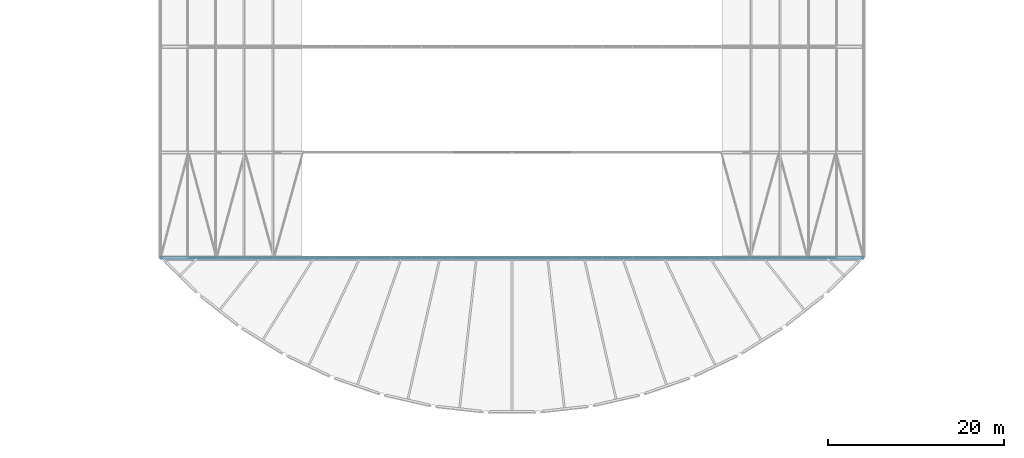
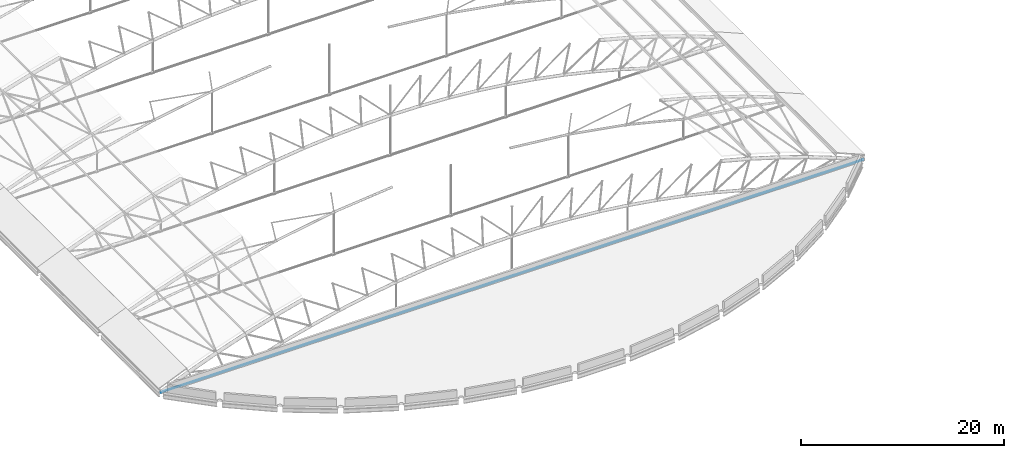
# One storey, part 22 of 321: 1 member.
"""IFC4 building model written with IfcOpenShell, lengths in metres."""

from ifc_helpers import new_model, si_unit, direction, frame, origin, origin_2d, place, context, subcontext, project, spatial, circle, extrude, material, material_profile, profile_set, type_object, element, save


model = new_model("IFC4")

# Units and contexts
model_context = context("Model", 3, precision=1e-05, world=origin(), true_north=direction((0.0, 1.0)))
body_context = subcontext(model_context, "Body", "Model", "MODEL_VIEW")
ifc_project = project(units=[si_unit("LENGTHUNIT", "METRE"), si_unit("AREAUNIT", "SQUARE_METRE"), si_unit("VOLUMEUNIT", "CUBIC_METRE"), si_unit("PLANEANGLEUNIT", "RADIAN"), si_unit("MASSUNIT", "GRAM", prefix="KILO")], contexts=[model_context])

# Site, building, storey
site_placement = place(None, origin())
site = spatial("IfcSite", under=ifc_project, at=site_placement, CompositionType="ELEMENT")
building_placement = place(site_placement, origin())
building = spatial("IfcBuilding", under=site, at=building_placement, Name="Ravi Spectrum Wholesale Market", CompositionType="ELEMENT")
storey_placement = place(building_placement, frame((0.0, 0.0, 10.800048828125)))
storey = spatial("IfcBuildingStorey", under=building, at=storey_placement, Name="L02", CompositionType="ELEMENT", Elevation=10.800048828125)

# Member
ifc_material = material(Name="Steel S460", Category="steel")
ifc_material_profile = material_profile(ifc_material, circle(Radius=0.044921875, at=origin_2d()))
ifc_profile_set = profile_set([ifc_material_profile], Name="Steel S460")
member_type = type_object("IfcMemberType", Name="ROD 90 tie", PredefinedType="BRACE", material=ifc_profile_set)
member_placement = place(storey_placement, frame((30.0, 30.0, 0.0), z_axis=(1.0, 0.0, 0.0), x_axis=(0.0, 1.0, 0.0)))
element("IfcMember", 1, at=member_placement, inside=storey, type_object=member_type, Name="H1-MB-L02-094", PredefinedType="BRACE", context=body_context, shape_type="SweptSolid", body=[
    extrude(circle(Radius=0.044921875, at=origin_2d()), origin(), (0.0, 0.0, 1.0), 80.0),
])

save(model, "model.ifc")
